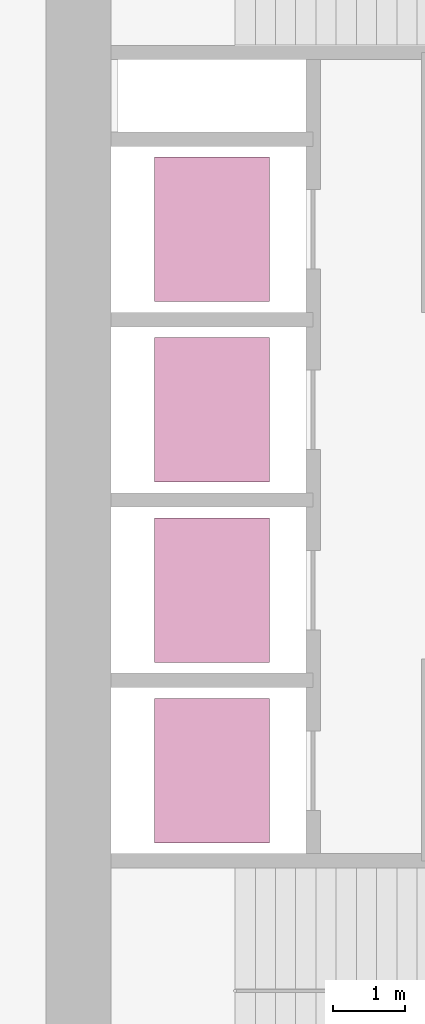
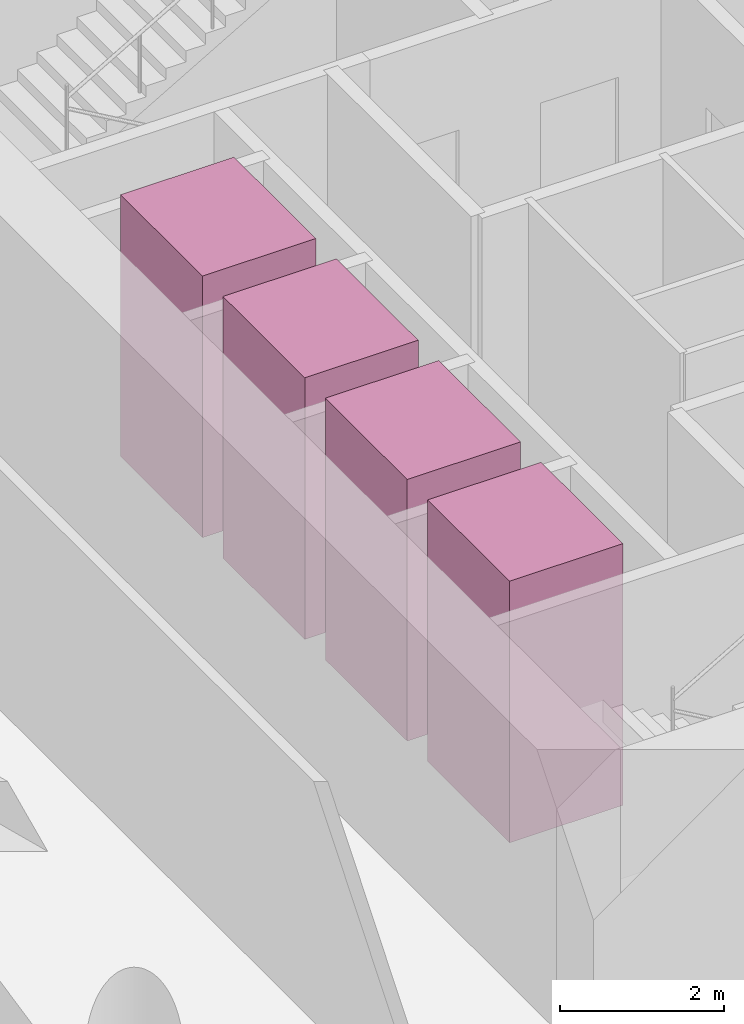
# One storey, part 11 of 11: 4 transport elements.
"""IFC4 building model written with IfcOpenShell, lengths in metres."""

from ifc_helpers import new_model, si_unit, direction, frame, origin, origin_2d, place, context, subcontext, project, spatial, rectangle, extrude, material, type_object, element, save


model = new_model("IFC4")

# Units and contexts
model_context = context("Model", 3, precision=1e-05, world=origin(), true_north=direction((0.0, 1.0)))
body_context = subcontext(model_context, "Body", "Model", "MODEL_VIEW")
ifc_project = project(units=[si_unit("LENGTHUNIT", "METRE"), si_unit("AREAUNIT", "SQUARE_METRE"), si_unit("VOLUMEUNIT", "CUBIC_METRE"), si_unit("PLANEANGLEUNIT", "RADIAN"), si_unit("MASSUNIT", "GRAM", prefix="KILO")], contexts=[model_context])

# Site, building, storey
site_placement = place(None, origin())
site = spatial("IfcSite", under=ifc_project, at=site_placement, CompositionType="ELEMENT")
building_placement = place(site_placement, origin())
building = spatial("IfcBuilding", under=site, at=building_placement, Name="Qaws Garden Tower", CompositionType="ELEMENT")
storey_placement = place(building_placement, frame((0.0, 0.0, 90.0)))
storey = spatial("IfcBuildingStorey", under=building, at=storey_placement, Name="L22", CompositionType="ELEMENT", Elevation=90.0)

# Transport elements
ifc_material = material(Name="Stainless steel 316", Category="steel")
transport_element_type = type_object("IfcTransportElementType", Name="Passenger lift car 2000x1600 1800 kg", PredefinedType="ELEVATOR", material=ifc_material)
for number, where, z_axis, x_axis, name in (
    (1, (10.300048828125, 13.64990234375, 0.0), (0.0, 0.0, 1.0), (1.0, 0.0, 0.0), "LR1"),
    (2, (10.300048828125, 16.14990234375, 0.0), (0.0, 0.0, 1.0), (1.0, 0.0, 0.0), "LR2"),
    (3, (10.300048828125, 18.64990234375, 0.0), (0.0, 0.0, 1.0), (1.0, 0.0, 0.0), "LR3"),
    (4, (10.300048828125, 21.14990234375, 0.0), (0.0, 0.0, 1.0), (1.0, 0.0, 0.0), "LR4"),
):
    element("IfcTransportElement", number, at=place(storey_placement, frame(where, z_axis=z_axis, x_axis=x_axis)), inside=storey, type_object=transport_element_type, Name=name, PredefinedType="ELEVATOR", context=body_context, shape_type="SweptSolid", body=[
        extrude(rectangle(XDim=1.60009765625, YDim=2.0, at=origin_2d()), origin(), (0.0, 0.0, 1.0), 3.89990234375),
    ])

save(model, "model.ifc")
